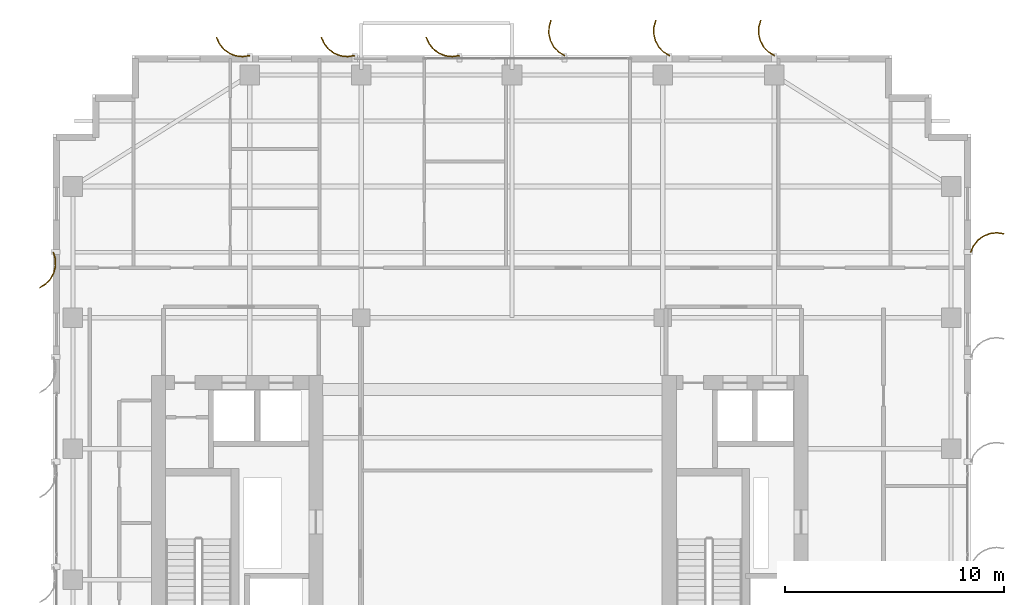
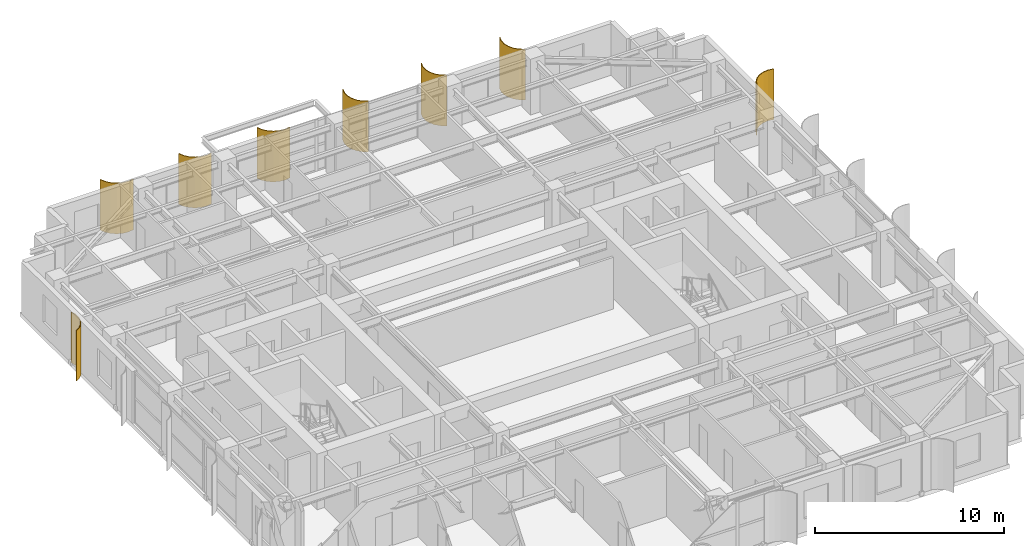
# One storey, part 21 of 21: 8 shading devices.
"""IFC4 building model written with IfcOpenShell, lengths in metres."""

from ifc_helpers import new_model, si_unit, direction, frame, origin, place, context, subcontext, project, spatial, polyline, outline, extrude, source, transform, mapped, material, layer, layer_set, type_object, element, save


model = new_model("IFC4")

# Units and contexts
model_context = context("Model", 3, precision=1e-05, world=origin(), true_north=direction((0.0, 1.0)))
body_context = subcontext(model_context, "Body", "Model", "MODEL_VIEW")
ifc_project = project(units=[si_unit("LENGTHUNIT", "METRE"), si_unit("AREAUNIT", "SQUARE_METRE"), si_unit("VOLUMEUNIT", "CUBIC_METRE"), si_unit("PLANEANGLEUNIT", "RADIAN"), si_unit("MASSUNIT", "GRAM", prefix="KILO")], contexts=[model_context])

# Site, building, storey
site_placement = place(None, origin())
site = spatial("IfcSite", under=ifc_project, at=site_placement, CompositionType="ELEMENT")
building_placement = place(site_placement, origin())
building = spatial("IfcBuilding", under=site, at=building_placement, Name="Khoralis Quay Care Tower", CompositionType="ELEMENT")
storey_placement = place(building_placement, frame((0.0, 0.0, 159.300048828125)))
storey = spatial("IfcBuildingStorey", under=building, at=storey_placement, Name="L41", CompositionType="ELEMENT", Elevation=159.300048828125)

# Shading devices
ifc_material = material(Name="Brushed pale anodised aluminium", Category="aluminium")
ifc_layer = layer(ifc_material, 0.044921875)
ifc_layer_set = layer_set([ifc_layer], Name="Brushed pale anodised aluminium")
shading_device_type = type_object("IfcShadingDeviceType", Name="SHD-FIN-1250", PredefinedType="USERDEFINED", material=ifc_layer_set)
shared_shape_1 = source(origin(), body_context, "Body", "SweptSolid", [
    extrude(outline(polyline([(0.0, 0.0), (0.17041015625, 0.2783203125), (0.4072265625, 0.5029296875), (0.694091796875, 0.658447265625), (1.01123046875, 0.734619140625), (1.33740234375, 0.72607421875), (1.650390625, 0.633544921875), (1.632080078125, 0.59228515625), (1.330322265625, 0.681640625), (1.015869140625, 0.68994140625), (0.710205078125, 0.616455078125), (0.43359375, 0.466552734375), (0.20556640625, 0.25), (0.041015625, -0.018310546875), (0.0, 0.0)])), origin(), (0.0, 0.0, 1.0), 3.280029296875),
])
for number, where, z_axis, x_axis, name in (
    (1, (36.0, 41.969970703125, 0.02001953125), (0.0, 0.0, 1.0), (0.0, 1.0, 0.0), "L41 Curved Solar Fin P1E10-01"),
    (2, (31.199951171875, 41.969970703125, 0.02001953125), (0.0, 0.0, 1.0), (0.0, 1.0, 0.0), "L41 Curved Solar Fin P1E10-02"),
    (3, (26.39990234375, 41.969970703125, 0.02001953125), (0.0, 0.0, 1.0), (0.0, 1.0, 0.0), "L41 Curved Solar Fin P1E10-03"),
):
    element("IfcShadingDevice", number, at=place(storey_placement, frame(where, z_axis=z_axis, x_axis=x_axis)), inside=storey, type_object=shading_device_type, Name=name, ObjectType="FIN", PredefinedType="USERDEFINED", context=body_context, shape_type="MappedRepresentation", body=[
        mapped(shared_shape_1, transform((0.0, 0.0, 0.0), scale=1.0)),
    ])
shared_shape_2 = source(origin(), body_context, "Body", "SweptSolid", [
    extrude(outline(polyline([(0.0, 0.0), (-0.04833984375, 0.32275390625), (-0.01123046875, 0.64697265625), (0.1083984375, 0.950439453125), (0.302490234375, 1.212890625), (0.557861328125, 1.416015625), (0.85693359375, 1.546142578125), (0.869384765625, 1.5029296875), (0.5810546875, 1.37744140625), (0.334716796875, 1.181640625), (0.147705078125, 0.9287109375), (0.032470703125, 0.635986328125), (-0.003173828125, 0.323486328125), (0.043212890625, 0.012451171875), (0.0, 0.0)])), origin(), (0.0, 0.0, 1.0), 3.280029296875),
])
for number, where, z_axis, x_axis, name in (
    (4, (21.60009765625, 41.969970703125, 0.02001953125), (0.0, 0.0, 1.0), (0.0, 1.0, 0.0), "L41 Curved Solar Fin P1E10-04"),
    (5, (16.800048828125, 41.969970703125, 0.02001953125), (0.0, 0.0, 1.0), (0.0, 1.0, 0.0), "L41 Curved Solar Fin P1E10-05"),
    (6, (12.0, 41.969970703125, 0.02001953125), (0.0, 0.0, 1.0), (0.0, 1.0, 0.0), "L41 Curved Solar Fin P1E10-06"),
):
    element("IfcShadingDevice", number, at=place(storey_placement, frame(where, z_axis=z_axis, x_axis=x_axis)), inside=storey, type_object=shading_device_type, Name=name, ObjectType="FIN", PredefinedType="USERDEFINED", context=body_context, shape_type="MappedRepresentation", body=[
        mapped(shared_shape_2, transform((0.0, 0.0, 0.0), scale=1.0)),
    ])
shared_shape_3 = source(origin(), body_context, "Body", "SweptSolid", [
    extrude(outline(polyline([(0.0, 0.0), (-0.0927734375, 0.31298828125), (-0.101318359375, 0.63916015625), (-0.025146484375, 0.956298828125), (0.130615234375, 1.2431640625), (0.355224609375, 1.479736328125), (0.633544921875, 1.650390625), (0.65185546875, 1.609130859375), (0.383544921875, 1.44482421875), (0.1669921875, 1.216796875), (0.01708984375, 0.940185546875), (-0.056396484375, 0.63427734375), (-0.04833984375, 0.31982421875), (0.041015625, 0.018310546875), (0.0, 0.0)])), origin(), (0.0, 0.0, 1.0), 3.280029296875),
])
shading_device_1_placement = place(storey_placement, frame((3.030029296875, 33.0, 0.02001953125), z_axis=(0.0, 0.0, 1.0), x_axis=(-1.0, 0.0, 0.0)))
element("IfcShadingDevice", 7, at=shading_device_1_placement, inside=storey, type_object=shading_device_type, Name="L41 Curved Solar Fin P1E15-01", ObjectType="FIN", PredefinedType="USERDEFINED", context=body_context, shape_type="MappedRepresentation", body=[
    mapped(shared_shape_3, transform((0.0, 0.0, 0.0), scale=1.0)),
])
shared_shape_4 = source(origin(), body_context, "Body", "SweptSolid", [
    extrude(outline(polyline([(0.0, 0.0), (0.130126953125, 0.29931640625), (0.333251953125, 0.5546875), (0.595458984375, 0.748779296875), (0.899169921875, 0.868408203125), (1.223388671875, 0.9052734375), (1.546142578125, 0.85693359375), (1.53369140625, 0.813720703125), (1.22265625, 0.8603515625), (0.91015625, 0.82470703125), (0.617431640625, 0.70947265625), (0.364501953125, 0.522216796875), (0.168701171875, 0.276123046875), (0.043212890625, -0.012451171875), (0.0, 0.0)])), origin(), (0.0, 0.0, 1.0), 3.280029296875),
])
shading_device_2_placement = place(storey_placement, frame((44.969970703125, 33.0, 0.02001953125), z_axis=(0.0, 0.0, 1.0), x_axis=(1.0, 0.0, 0.0)))
element("IfcShadingDevice", 8, at=shading_device_2_placement, inside=storey, type_object=shading_device_type, Name="L41 Curved Solar Fin P1E5-06", ObjectType="FIN", PredefinedType="USERDEFINED", context=body_context, shape_type="MappedRepresentation", body=[
    mapped(shared_shape_4, transform((0.0, 0.0, 0.0), scale=1.0)),
])

save(model, "model.ifc")
